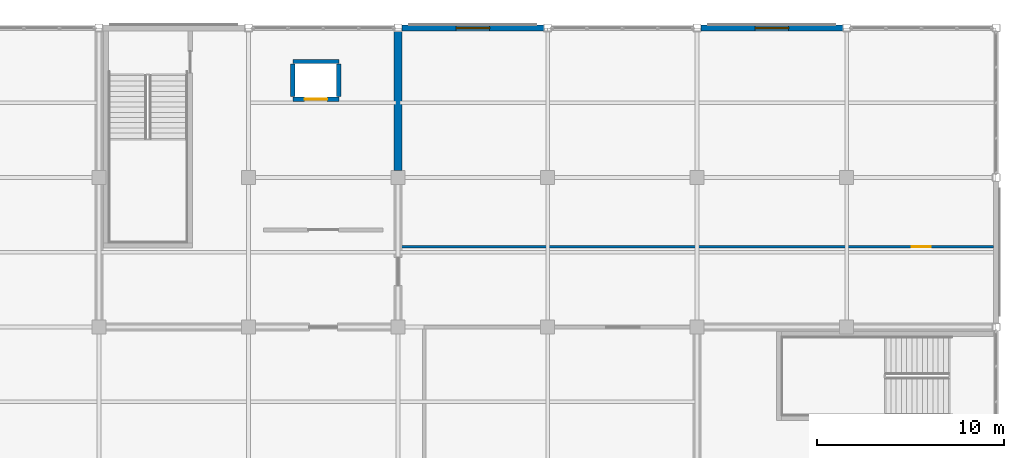
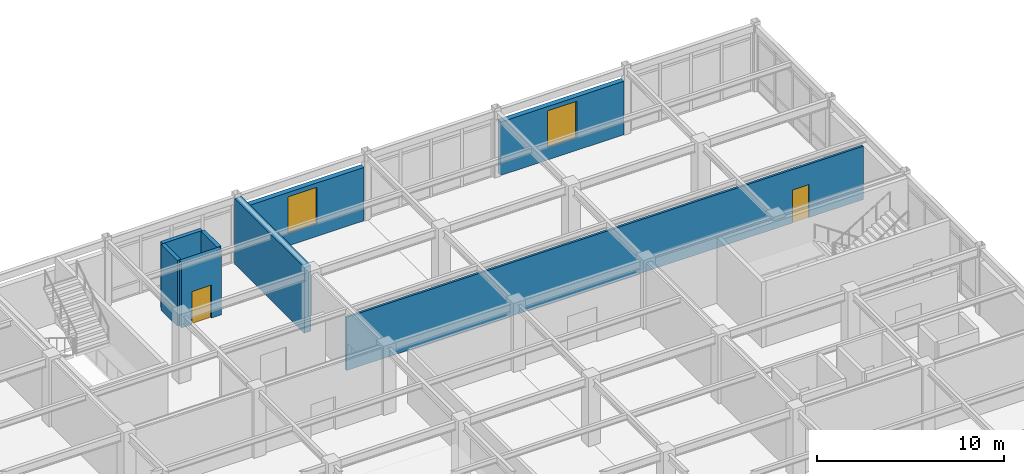
# One storey, part 89 of 111: 8 walls, 2 doors, 2 windows, 4 openings.
"""IFC4 building model written with IfcOpenShell, lengths in metres."""

from ifc_helpers import new_model, si_unit, direction, frame, frame_2d, origin, place, context, subcontext, project, spatial, rectangle, extrude, material, layer, layer_set, type_object, element, fill, save


model = new_model("IFC4")

# Units and contexts
model_context = context("Model", 3, precision=1e-05, world=origin(), true_north=direction((0.0, 1.0)))
body_context = subcontext(model_context, "Body", "Model", "MODEL_VIEW")
ifc_project = project(units=[si_unit("LENGTHUNIT", "METRE"), si_unit("AREAUNIT", "SQUARE_METRE"), si_unit("VOLUMEUNIT", "CUBIC_METRE"), si_unit("PLANEANGLEUNIT", "RADIAN"), si_unit("MASSUNIT", "GRAM", prefix="KILO")], contexts=[model_context])

# Site, building, storey
site_placement = place(None, origin())
site = spatial("IfcSite", under=ifc_project, at=site_placement, CompositionType="ELEMENT")
building_placement = place(site_placement, origin())
building = spatial("IfcBuilding", under=site, at=building_placement, Name="Solmirada Galleria", CompositionType="ELEMENT")
storey_placement = place(building_placement, frame((0.0, 0.0, 10.39990234375)))
storey = spatial("IfcBuildingStorey", under=building, at=storey_placement, Name="L02", CompositionType="ELEMENT", Elevation=10.39990234375)

# Wall
ifc_material_1 = material(Name="Concrete C40/50", Category="concrete")
ifc_layer_1 = layer(ifc_material_1, 0.419921875)
ifc_layer_set_1 = layer_set([ifc_layer_1], Name="Concrete C40/50")
wall_type_1 = type_object("IfcWallType", Name="WL-CORE-420", PredefinedType="SHEAR", material=ifc_layer_set_1)
wall_1_placement = place(storey_placement, frame((144.0, 112.375, 0.0), z_axis=(0.0, 0.0, 1.0), x_axis=(0.0, 1.0, 0.0)))
element("IfcWall", 1, at=wall_1_placement, inside=storey, type_object=wall_type_1, Name="Core C3 shear wall L02 E2", PredefinedType="SHEAR", context=body_context, shape_type="SweptSolid", body=[
    extrude(rectangle(XDim=7.422119140625, YDim=0.419921875, at=frame_2d((3.7109375, 0.0))), origin(), (0.0, 0.0, 1.0), 4.280029296875),
])

# Wall, opening, window
ifc_material_2 = material(Name="Precast concrete C40/50", Category="concrete")
ifc_layer_2 = layer(ifc_material_2, 0.31005859375)
ifc_layer_set_2 = layer_set([ifc_layer_2], Name="Precast concrete C40/50")
wall_type_2 = type_object("IfcWallType", Name="WL-EXT-310", PredefinedType="STANDARD", material=ifc_layer_set_2)
wall_2_placement = place(storey_placement, frame((144.202880859375, 120.0, 0.0), z_axis=(0.0, 0.0, 1.0), x_axis=(1.0, 0.0, 0.0)))
wall_2 = element("IfcWall", 2, at=wall_2_placement, inside=storey, type_object=wall_type_2, Name="Exterior wall L02 bay 052", PredefinedType="STANDARD", context=body_context, shape_type="SweptSolid", body=[
    extrude(rectangle(XDim=7.59423828125, YDim=0.31005859375, at=frame_2d((3.797119140625, 0.0))), origin(), (0.0, 0.0, 1.0), 3.47998046875),
])
opening_1_placement = place(wall_2_placement, frame((2.89697265625, 0.0, 0.800048828125)))
opening_1 = element("IfcOpeningElement", 3, at=opening_1_placement, cuts=wall_2, Name="Opening WN25", PredefinedType="OPENING", context=body_context, shape_type="SweptSolid", body=[
    extrude(rectangle(XDim=1.800048828125, YDim=2.39990234375, at=frame_2d((0.89990234375, 1.199951171875))), frame((0.0, 0.1650390625, 0.0), z_axis=(0.0, -1.0, 0.0), x_axis=(1.0, 0.0, 0.0)), (0.0, 0.0, 1.0), 0.330078125),
])
ifc_material_3 = material(Name="Impact-resistant low-E double glazing", Category="glass")
window_type = type_object("IfcWindowType", Name="WIN-ARCH-180X240", PartitioningType="DOUBLE_PANEL_HORIZONTAL", PredefinedType="WINDOW", material=ifc_material_3)
window_1_placement = place(opening_1_placement, origin())
window_1 = element("IfcWindow", 4, at=window_1_placement, inside=storey, type_object=window_type, Name="Window L02-052", OverallHeight=2.39990234375, OverallWidth=1.800048828125, PartitioningType="DOUBLE_PANEL_HORIZONTAL", PredefinedType="WINDOW", context=body_context, shape_type="SweptSolid", body=[
    extrude(rectangle(XDim=1.800048828125, YDim=2.39990234375, at=frame_2d((0.89990234375, 1.199951171875))), frame((0.0, 0.030029296875, 0.0), z_axis=(0.0, -1.0, 0.0), x_axis=(1.0, 0.0, 0.0)), (0.0, 0.0, 1.0), 0.06005859375),
])
fill(opening_1, window_1)

wall_3_placement = place(storey_placement, frame((160.202880859375, 120.0, 0.0), z_axis=(0.0, 0.0, 1.0), x_axis=(1.0, 0.0, 0.0)))
wall_3 = element("IfcWall", 5, at=wall_3_placement, inside=storey, type_object=wall_type_2, Name="Exterior wall L02 bay 054", PredefinedType="STANDARD", context=body_context, shape_type="SweptSolid", body=[
    extrude(rectangle(XDim=7.59423828125, YDim=0.31005859375, at=frame_2d((3.797119140625, 0.0))), origin(), (0.0, 0.0, 1.0), 3.47998046875),
])
opening_2_placement = place(wall_3_placement, frame((2.89697265625, 0.0, 0.800048828125)))
opening_2 = element("IfcOpeningElement", 6, at=opening_2_placement, cuts=wall_3, Name="Opening WN25", PredefinedType="OPENING", context=body_context, shape_type="SweptSolid", body=[
    extrude(rectangle(XDim=1.800048828125, YDim=2.39990234375, at=frame_2d((0.89990234375, 1.199951171875))), frame((0.0, 0.1650390625, 0.0), z_axis=(0.0, -1.0, 0.0), x_axis=(1.0, 0.0, 0.0)), (0.0, 0.0, 1.0), 0.330078125),
])
window_2_placement = place(opening_2_placement, origin())
window_2 = element("IfcWindow", 7, at=window_2_placement, inside=storey, type_object=window_type, Name="Window L02-053", OverallHeight=2.39990234375, OverallWidth=1.800048828125, PartitioningType="DOUBLE_PANEL_HORIZONTAL", PredefinedType="WINDOW", context=body_context, shape_type="SweptSolid", body=[
    extrude(rectangle(XDim=1.800048828125, YDim=2.39990234375, at=frame_2d((0.89990234375, 1.199951171875))), frame((0.0, 0.030029296875, 0.0), z_axis=(0.0, -1.0, 0.0), x_axis=(1.0, 0.0, 0.0)), (0.0, 0.0, 1.0), 0.06005859375),
])
fill(opening_2, window_2)

# Wall, opening, door
ifc_layer_3 = layer(ifc_material_1, 0.239990234375)
ifc_layer_set_3 = layer_set([ifc_layer_3], Name="Concrete C40/50")
wall_type_3 = type_object("IfcWallType", Name="WL-HOIST-240", PredefinedType="PARTITIONING", material=ifc_layer_set_3)
wall_4_placement = place(storey_placement, frame((138.3701171875, 116.195068359375, 0.0), z_axis=(0.0, 0.0, 1.0), x_axis=(1.0, 0.0, 0.0)))
wall_4 = element("IfcWall", 8, at=wall_4_placement, inside=storey, type_object=wall_type_3, Name="Lift FL1 hoistway front wall L02", PredefinedType="PARTITIONING", context=body_context, shape_type="SweptSolid", body=[
    extrude(rectangle(XDim=2.4599609375, YDim=0.239990234375, at=frame_2d((1.22998046875, 0.0))), origin(), (0.0, 0.0, 1.0), 4.280029296875),
])
opening_3_placement = place(wall_4_placement, frame((0.6298828125, 0.0, 0.0)))
opening_3 = element("IfcOpeningElement", 9, at=opening_3_placement, cuts=wall_4, Name="Opening LD-FL1-L02", PredefinedType="OPENING", context=body_context, shape_type="SweptSolid", body=[
    extrude(rectangle(XDim=1.199951171875, YDim=2.14990234375, at=frame_2d((0.60009765625, 1.074951171875))), frame((0.0, 0.1298828125, 0.0), z_axis=(0.0, -1.0, 0.0), x_axis=(1.0, 0.0, 0.0)), (0.0, 0.0, 1.0), 0.260009765625),
])
ifc_material_4 = material(Name="Brushed stainless-steel sliding landing door", Category="steel")
door_type_1 = type_object("IfcDoorType", Name="DR-LIFT-120X215", OperationType="SLIDING_TO_LEFT", PredefinedType="DOOR", material=ifc_material_4)
door_1_placement = place(opening_3_placement, origin())
door_1 = element("IfcDoor", 10, at=door_1_placement, inside=storey, type_object=door_type_1, Name="Lift FL1 sliding landing door L02", OperationType="SLIDING_TO_LEFT", OverallHeight=2.14990234375, OverallWidth=1.199951171875, PredefinedType="DOOR", context=body_context, shape_type="SweptSolid", body=[
    extrude(rectangle(XDim=1.199951171875, YDim=2.14990234375, at=frame_2d((0.60009765625, 1.074951171875))), frame((0.0, 0.02490234375, 0.0), z_axis=(0.0, -1.0, 0.0), x_axis=(1.0, 0.0, 0.0)), (0.0, 0.0, 1.0), 0.050048828125),
])
fill(opening_3, door_1)

# Walls
wall_5_placement = place(storey_placement, frame((138.3701171875, 118.205078125, 0.0), z_axis=(0.0, 0.0, 1.0), x_axis=(1.0, 0.0, 0.0)))
element("IfcWall", 11, at=wall_5_placement, inside=storey, type_object=wall_type_3, Name="Lift FL1 hoistway rear wall L02", PredefinedType="PARTITIONING", context=body_context, shape_type="SweptSolid", body=[
    extrude(rectangle(XDim=2.4599609375, YDim=0.239990234375, at=frame_2d((1.22998046875, 0.0))), origin(), (0.0, 0.0, 1.0), 4.280029296875),
])
for number, where, z_axis, x_axis, name in (
    (12, (138.3701171875, 116.3349609375, 0.0), (0.0, 0.0, 1.0), (0.0, 1.0, 0.0), "Lift FL1 hoistway side wall L L02"),
    (13, (140.830078125, 116.3349609375, 0.0), (0.0, 0.0, 1.0), (0.0, 1.0, 0.0), "Lift FL1 hoistway side wall R L02"),
):
    element("IfcWall", number, at=place(storey_placement, frame(where, z_axis=z_axis, x_axis=x_axis)), inside=storey, type_object=wall_type_3, Name=name, PredefinedType="PARTITIONING", context=body_context, shape_type="SweptSolid", body=[
        extrude(rectangle(XDim=1.72998046875, YDim=0.239990234375, at=frame_2d((0.864990234375, 0.0))), origin(), (0.0, 0.0, 1.0), 4.280029296875),
    ])

# Wall, opening, door
ifc_material_5 = material(Name="Acoustic gypsum board partition")
ifc_layer_4 = layer(ifc_material_5, 0.135009765625)
ifc_layer_set_4 = layer_set([ifc_layer_4], Name="Acoustic gypsum board partition")
wall_type_4 = type_object("IfcWallType", Name="WL-PART-135", PredefinedType="PARTITIONING", material=ifc_layer_set_4)
wall_6_placement = place(storey_placement, frame((144.0, 108.300048828125, 0.0), z_axis=(0.0, 0.0, 1.0), x_axis=(1.0, 0.0, 0.0)))
wall_6 = element("IfcWall", 14, at=wall_6_placement, inside=storey, type_object=wall_type_4, Name="Partition L02-090 (Atelier L02)", PredefinedType="PARTITIONING", context=body_context, shape_type="SweptSolid", body=[
    extrude(rectangle(XDim=31.85009765625, YDim=0.135009765625, at=frame_2d((15.925048828125, 0.0))), origin(), (0.0, 0.0, 1.0), 3.47998046875),
])
opening_4_placement = place(wall_6_placement, frame((27.485107421875, 0.0, 0.0)))
opening_4 = element("IfcOpeningElement", 15, at=opening_4_placement, cuts=wall_6, Name="Opening ID-323", PredefinedType="OPENING", context=body_context, shape_type="SweptSolid", body=[
    extrude(rectangle(XDim=1.0, YDim=2.14990234375, at=frame_2d((0.5, 1.074951171875))), frame((0.0, 0.077392578125, 0.0), z_axis=(0.0, -1.0, 0.0), x_axis=(1.0, 0.0, 0.0)), (0.0, 0.0, 1.0), 0.155029296875),
])
ifc_material_6 = material(Name="Architectural hardwood veneer door", Category="wood")
door_type_2 = type_object("IfcDoorType", Name="DR-ROOM-100X215", OperationType="NOTDEFINED", PredefinedType="DOOR", material=ifc_material_6)
door_2_placement = place(opening_4_placement, origin())
door_2 = element("IfcDoor", 16, at=door_2_placement, inside=storey, type_object=door_type_2, Name="Atelier L02 door ID-323", OperationType="SINGLE_SWING_RIGHT", OverallHeight=2.14990234375, OverallWidth=1.0, PredefinedType="DOOR", context=body_context, shape_type="SweptSolid", body=[
    extrude(rectangle(XDim=1.0, YDim=2.14990234375, at=frame_2d((0.5, 1.074951171875))), frame((0.0, 0.02490234375, 0.0), z_axis=(0.0, -1.0, 0.0), x_axis=(1.0, 0.0, 0.0)), (0.0, 0.0, 1.0), 0.050048828125),
])
fill(opening_4, door_2)

save(model, "model.ifc")
